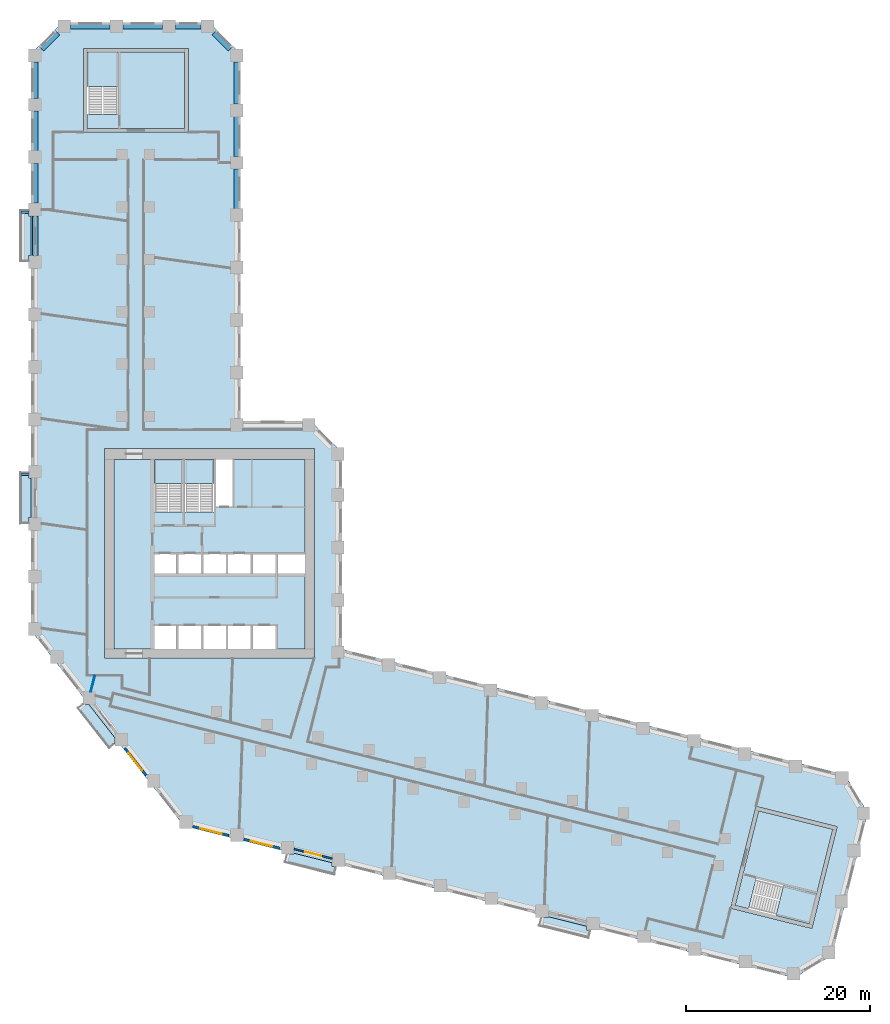
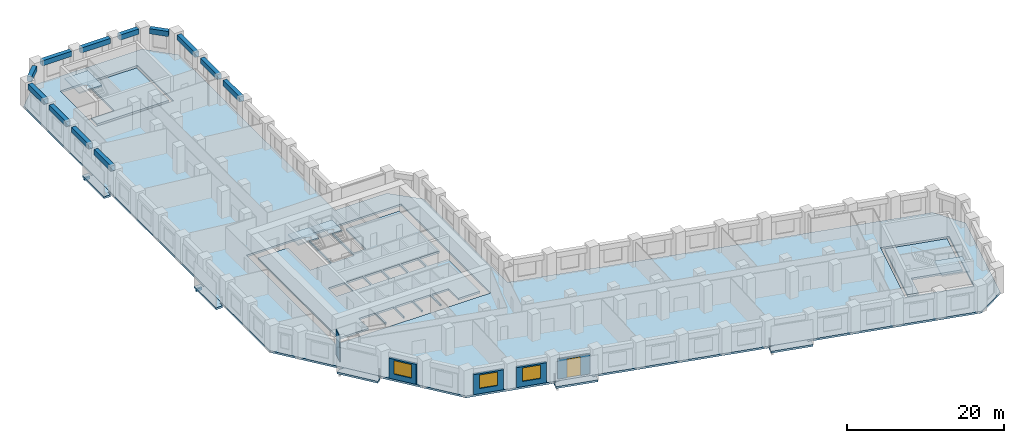
# One storey, part 2 of 11: 14 beams, 13 slabs, 5 walls, 3 windows, 1 door, 4 openings, 4 elements without a shape of their own.
"""IFC4 building model written with IfcOpenShell, lengths in metres."""

from ifc_helpers import new_model, si_unit, direction, frame, frame_2d, origin, origin_2d, place, context, subcontext, project, spatial, polyline, rectangle, outline, extrude, material, layer, layer_set, material_profile, profile_set, type_object, element, fill, aggregate, save


model = new_model("IFC4")

# Units and contexts
model_context = context("Model", 3, precision=1e-05, world=origin(), true_north=direction((0.0, 1.0)))
body_context = subcontext(model_context, "Body", "Model", "MODEL_VIEW")
ifc_project = project(units=[si_unit("LENGTHUNIT", "METRE"), si_unit("AREAUNIT", "SQUARE_METRE"), si_unit("VOLUMEUNIT", "CUBIC_METRE"), si_unit("PLANEANGLEUNIT", "RADIAN"), si_unit("MASSUNIT", "GRAM", prefix="KILO")], contexts=[model_context])

# Site, building, storey
site_placement = place(None, origin())
site = spatial("IfcSite", under=ifc_project, at=site_placement, CompositionType="ELEMENT")
building_placement = place(site_placement, origin())
building = spatial("IfcBuilding", under=site, at=building_placement, Name="Meshkara Civic Tower", CompositionType="ELEMENT")
storey_placement = place(building_placement, frame((0.0, 0.0, 70.800048828125)))
storey = spatial("IfcBuildingStorey", under=building, at=storey_placement, Name="L15", CompositionType="ELEMENT", Elevation=70.800048828125)

# Beams
ifc_material_1 = material(Name="Concrete C50", Category="concrete")
ifc_material_profile_1 = material_profile(ifc_material_1, rectangle(XDim=0.25, YDim=0.39990234375, at=origin_2d()))
ifc_profile_set_1 = profile_set([ifc_material_profile_1], Name="Concrete C50")
beam_type_1 = type_object("IfcBeamType", Name="Balcony bracket beam RC 250x400 C50", PredefinedType="BEAM", material=ifc_profile_set_1)
for number, where, z_axis, x_axis, name in (
    (1, (-0.2451171875, 62.554931640625, -0.5), (-1.0, 0.0, 0.0), (0.0, -1.0, 0.0), "Balcony bracket beam"),
    (2, (-0.2451171875, 34.054931640625, -0.5), (-1.0, 0.0, 0.0), (0.0, -1.0, 0.0), "Balcony bracket beam"),
):
    element("IfcBeam", number, at=place(storey_placement, frame(where, z_axis=z_axis, x_axis=x_axis)), inside=storey, type_object=beam_type_1, Name=name, PredefinedType="BEAM", context=body_context, shape_type="SweptSolid", body=[
        extrude(rectangle(XDim=0.25, YDim=0.39990234375, at=origin_2d()), origin(), (0.0, 0.0, 1.0), 0.85498046875),
    ])
ifc_material_2 = material(Name="Concrete C70", Category="concrete")
ifc_material_profile_2 = material_profile(ifc_material_2, rectangle(XDim=0.60009765625, YDim=0.800048828125, at=origin_2d()))
ifc_profile_set_2 = profile_set([ifc_material_profile_2], Name="Concrete C70")
beam_type_2 = type_object("IfcBeamType", Name="Spandrel beam RC 600x800 C70", PredefinedType="BEAM", material=ifc_profile_set_2)
beam_1_placement = place(storey_placement, frame((22.35009765625, 62.945068359375, 3.5), z_axis=(0.0, 1.0, 0.0), x_axis=(-1.0, 0.0, 0.0)))
element("IfcBeam", 3, at=beam_1_placement, inside=storey, type_object=beam_type_2, Name="Spandrel beam AE04-AE05", PredefinedType="BEAM", context=body_context, shape_type="SweptSolid", body=[
    extrude(rectangle(XDim=0.60009765625, YDim=0.800048828125, at=origin_2d()), origin(), (0.0, 0.0, 1.0), 4.309814453125),
])
beam_2_placement = place(storey_placement, frame((22.35009765625, 68.64501953125, 3.5), z_axis=(0.0, 1.0, 0.0), x_axis=(-1.0, 0.0, 0.0)))
element("IfcBeam", 4, at=beam_2_placement, inside=storey, type_object=beam_type_2, Name="Spandrel beam AE05-AE06", PredefinedType="BEAM", context=body_context, shape_type="SweptSolid", body=[
    extrude(rectangle(XDim=0.60009765625, YDim=0.800048828125, at=origin_2d()), origin(), (0.0, 0.0, 1.0), 4.31005859375),
])
beam_3_placement = place(storey_placement, frame((22.35009765625, 74.344970703125, 3.5), z_axis=(0.0, 1.0, 0.0), x_axis=(-1.0, 0.0, 0.0)))
element("IfcBeam", 5, at=beam_3_placement, inside=storey, type_object=beam_type_2, Name="Spandrel beam AE06-AEE", PredefinedType="BEAM", context=body_context, shape_type="SweptSolid", body=[
    extrude(rectangle(XDim=0.60009765625, YDim=0.800048828125, at=origin_2d()), origin(), (0.0, 0.0, 1.0), 4.573974609375),
])
beam_4_placement = place(storey_placement, frame((21.653564453125, 80.310546875, 3.5), z_axis=(-0.707155737934, 0.70705782105, 0.0), x_axis=(-0.70705782105, -0.707155737934, 0.0)))
element("IfcBeam", 6, at=beam_4_placement, inside=storey, type_object=beam_type_2, Name="Spandrel beam AEE-ATiE", PredefinedType="BEAM", context=body_context, shape_type="SweptSolid", body=[
    extrude(rectangle(XDim=0.60009765625, YDim=0.800048828125, at=origin_2d()), origin(), (0.0, 0.0, 1.0), 2.493408203125),
])
beam_5_placement = place(storey_placement, frame((18.4990234375, 82.77001953125, 3.5), z_axis=(-1.0, 0.0, 0.0), x_axis=(0.0, -1.0, 0.0)))
element("IfcBeam", 7, at=beam_5_placement, inside=storey, type_object=beam_type_2, Name="Spandrel beam AT02-ATiE", PredefinedType="BEAM", context=body_context, shape_type="SweptSolid", body=[
    extrude(rectangle(XDim=0.60009765625, YDim=0.800048828125, at=origin_2d()), origin(), (0.0, 0.0, 1.0), 2.798095703125),
])
for number, where, z_axis, x_axis, name in (
    (8, (14.31103515625, 82.77001953125, 3.5), (-1.0, 0.0, 0.0), (0.0, -1.0, 0.0), "Spandrel beam AT01-AT02"),
    (9, (8.611083984375, 82.77001953125, 3.5), (-1.0, 0.0, 0.0), (0.0, -1.0, 0.0), "Spandrel beam AT00-AT01"),
):
    element("IfcBeam", number, at=place(storey_placement, frame(where, z_axis=z_axis, x_axis=x_axis)), inside=storey, type_object=beam_type_2, Name=name, PredefinedType="BEAM", context=body_context, shape_type="SweptSolid", body=[
        extrude(rectangle(XDim=0.60009765625, YDim=0.800048828125, at=origin_2d()), origin(), (0.0, 0.0, 1.0), 4.31005859375),
    ])
beam_6_placement = place(storey_placement, frame((2.909423828125, 82.073486328125, 3.5), z_axis=(-0.707106781187, -0.707106781187, 0.0), x_axis=(0.707106781187, -0.707106781187, 0.0)))
element("IfcBeam", 10, at=beam_6_placement, inside=storey, type_object=beam_type_2, Name="Spandrel beam AT00-ATo00", PredefinedType="BEAM", context=body_context, shape_type="SweptSolid", body=[
    extrude(rectangle(XDim=0.60009765625, YDim=0.800048828125, at=origin_2d()), origin(), (0.0, 0.0, 1.0), 2.4931640625),
])
beam_7_placement = place(storey_placement, frame((0.449951171875, 78.9189453125, 3.5), z_axis=(0.0, -1.0, 0.0), x_axis=(1.0, 0.0, 0.0)))
element("IfcBeam", 11, at=beam_7_placement, inside=storey, type_object=beam_type_2, Name="Spandrel beam ATo00-AW10", PredefinedType="BEAM", context=body_context, shape_type="SweptSolid", body=[
    extrude(rectangle(XDim=0.60009765625, YDim=0.800048828125, at=origin_2d()), origin(), (0.0, 0.0, 1.0), 3.968994140625),
])
for number, where, z_axis, x_axis, name in (
    (12, (0.449951171875, 73.56005859375, 3.5), (0.0, -1.0, 0.0), (1.0, 0.0, 0.0), "Spandrel beam AW09-AW10"),
    (13, (0.449951171875, 67.860107421875, 3.5), (0.0, -1.0, 0.0), (1.0, 0.0, 0.0), "Spandrel beam AW08-AW09"),
):
    element("IfcBeam", number, at=place(storey_placement, frame(where, z_axis=z_axis, x_axis=x_axis)), inside=storey, type_object=beam_type_2, Name=name, PredefinedType="BEAM", context=body_context, shape_type="SweptSolid", body=[
        extrude(rectangle(XDim=0.60009765625, YDim=0.800048828125, at=origin_2d()), origin(), (0.0, 0.0, 1.0), 4.31005859375),
    ])
beam_8_placement = place(storey_placement, frame((0.449951171875, 62.159912109375, 3.5), z_axis=(0.0, -1.0, 0.0), x_axis=(1.0, 0.0, 0.0)))
element("IfcBeam", 14, at=beam_8_placement, inside=storey, type_object=beam_type_2, Name="Spandrel beam AW07-AW08", PredefinedType="BEAM", context=body_context, shape_type="SweptSolid", body=[
    extrude(rectangle(XDim=0.60009765625, YDim=0.800048828125, at=origin_2d()), origin(), (0.0, 0.0, 1.0), 4.309814453125),
])

# Slabs
ifc_material_3 = material(Name="Concrete C40", Category="concrete")
ifc_layer_1 = layer(ifc_material_3, 0.300048828125)
ifc_layer_set_1 = layer_set([ifc_layer_1], Name="BALCONY SLAB")
slab_type_1 = type_object("IfcSlabType", Name="BALCONY SLAB", PredefinedType="FLOOR", material=ifc_layer_set_1)
slab_1_placement = place(storey_placement, frame((0.0, 0.0, -0.300048828125)))
element("IfcSlab", 15, at=slab_1_placement, inside=storey, type_object=slab_type_1, Name="Balcony slab", PredefinedType="FLOOR", context=body_context, shape_type="SweptSolid", body=[
    extrude(outline(polyline([(-1.199951171875, 57.215087890625), (-1.199951171875, 62.794921875), (-0.25, 62.794921875), (-0.25, 62.155029296875), (0.0, 62.155029296875), (0.0, 57.85498046875), (-0.25, 57.85498046875), (-0.25, 57.215087890625), (-1.199951171875, 57.215087890625)])), origin(), (0.0, 0.0, 1.0), 0.300048828125),
])
slab_2_placement = place(storey_placement, frame((0.0, 0.0, -0.300048828125)))
element("IfcSlab", 16, at=slab_2_placement, inside=storey, type_object=slab_type_1, Name="Balcony slab", PredefinedType="FLOOR", context=body_context, shape_type="SweptSolid", body=[
    extrude(outline(polyline([(-1.199951171875, 28.715087890625), (-1.199951171875, 34.294921875), (-0.25, 34.294921875), (-0.25, 33.655029296875), (0.0, 33.655029296875), (0.0, 29.35498046875), (-0.25, 29.35498046875), (-0.25, 28.715087890625), (-1.199951171875, 28.715087890625)])), origin(), (0.0, 0.0, 1.0), 0.300048828125),
])
slab_3_placement = place(storey_placement, frame((0.0, 0.0, -0.300048828125)))
element("IfcSlab", 17, at=slab_3_placement, inside=storey, type_object=slab_type_1, Name="Balcony slab", PredefinedType="FLOOR", context=body_context, shape_type="SweptSolid", body=[
    extrude(outline(polyline([(8.49609375, 4.27587890625), (5.06005859375, 8.674072265625), (5.623046875, 9.114013671875), (5.623046875, 9.037109375), (6.299072265625, 9.037109375), (9.133056640625, 5.409912109375), (9.133056640625, 4.77392578125), (8.49609375, 4.27587890625)])), origin(), (0.0, 0.0, 1.0), 0.300048828125),
])
slab_4_placement = place(storey_placement, frame((0.0, 0.0, -0.300048828125)))
element("IfcSlab", 18, at=slab_4_placement, inside=storey, type_object=slab_type_1, Name="Balcony slab", PredefinedType="FLOOR", context=body_context, shape_type="SweptSolid", body=[
    extrude(outline(polyline([(32.986083984375, -9.4609375), (27.571044921875, -8.111083984375), (27.799072265625, -7.196044921875), (28.612060546875, -7.196044921875), (28.612060546875, -7.134033203125), (32.742919921875, -8.1640625), (32.742919921875, -8.574951171875), (33.20703125, -8.574951171875), (32.986083984375, -9.4609375)])), origin(), (0.0, 0.0, 1.0), 0.300048828125),
])
slab_5_placement = place(storey_placement, frame((0.0, 0.0, -0.300048828125)))
element("IfcSlab", 19, at=slab_5_placement, inside=storey, type_object=slab_type_1, Name="Balcony slab", PredefinedType="FLOOR", context=body_context, shape_type="SweptSolid", body=[
    extrude(outline(polyline([(60.639892578125, -16.35595703125), (55.22509765625, -15.006103515625), (55.452880859375, -14.090087890625), (56.26611328125, -14.090087890625), (56.26611328125, -14.029052734375), (60.39697265625, -15.05908203125), (60.39697265625, -15.468994140625), (60.861083984375, -15.468994140625), (60.639892578125, -16.35595703125)])), origin(), (0.0, 0.0, 1.0), 0.300048828125),
])
ifc_material_4 = material(Name="Concrete C40/50", Category="concrete")
ifc_layer_2 = layer(ifc_material_4, 0.300048828125)
ifc_layer_set_2 = layer_set([ifc_layer_2], Name="Core floor slab 300 C40/50")
slab_type_2 = type_object("IfcSlabType", Name="Core floor slab 300 C40/50", PredefinedType="FLOOR", material=ifc_layer_set_2)
slab_6_placement = place(storey_placement, frame((0.0, 0.0, -0.300048828125)))
element("IfcSlab", 20, at=slab_6_placement, inside=storey, type_object=slab_type_2, Name="Core floor K", PredefinedType="FLOOR", context=body_context, shape_type="SweptSolid", body=[
    extrude(outline(polyline([(9.0, 35.699951171875), (13.39990234375, 35.699951171875), (13.39990234375, 30.00146484375), (16.5, 30.00146484375), (16.5, 35.699951171875), (16.699951171875, 35.699951171875), (16.699951171875, 30.00146484375), (19.89990234375, 30.00146484375), (19.89990234375, 35.699951171875), (20.10009765625, 35.699951171875), (20.10009765625, 30.574951171875), (21.925048828125, 30.574951171875), (21.925048828125, 35.699951171875), (29.800048828125, 35.699951171875), (29.800048828125, 25.39990234375), (26.800048828125, 25.39990234375), (26.800048828125, 23.300048828125), (29.800048828125, 23.300048828125), (29.800048828125, 15.10009765625), (26.60009765625, 15.10009765625), (26.60009765625, 17.60009765625), (24.10009765625, 17.60009765625), (24.10009765625, 15.10009765625), (23.89990234375, 15.10009765625), (23.89990234375, 17.60009765625), (21.39990234375, 17.60009765625), (21.39990234375, 15.10009765625), (21.199951171875, 15.10009765625), (21.199951171875, 17.60009765625), (18.699951171875, 17.60009765625), (18.699951171875, 15.10009765625), (18.5, 15.10009765625), (18.5, 17.60009765625), (16.0, 17.60009765625), (16.0, 15.10009765625), (15.800048828125, 15.10009765625), (15.800048828125, 17.60009765625), (13.39990234375, 17.60009765625), (13.39990234375, 15.10009765625), (9.0, 15.10009765625), (9.0, 35.699951171875)]), holes=[polyline([(13.39990234375, 25.39990234375), (13.39990234375, 23.300048828125), (15.800048828125, 23.300048828125), (15.800048828125, 25.39990234375), (13.39990234375, 25.39990234375)]), polyline([(18.5, 23.300048828125), (18.5, 25.39990234375), (16.0, 25.39990234375), (16.0, 23.300048828125), (18.5, 23.300048828125)]), polyline([(18.699951171875, 25.39990234375), (18.699951171875, 23.300048828125), (21.199951171875, 23.300048828125), (21.199951171875, 25.39990234375), (18.699951171875, 25.39990234375)]), polyline([(23.89990234375, 23.300048828125), (23.89990234375, 25.39990234375), (21.39990234375, 25.39990234375), (21.39990234375, 23.300048828125), (23.89990234375, 23.300048828125)]), polyline([(26.60009765625, 23.300048828125), (26.60009765625, 25.39990234375), (24.10009765625, 25.39990234375), (24.10009765625, 23.300048828125), (26.60009765625, 23.300048828125)])]), origin(), (0.0, 0.0, 1.0), 0.300048828125),
])
slab_7_placement = place(storey_placement, frame((0.0, 0.0, -0.300048828125)))
element("IfcSlab", 21, at=slab_7_placement, inside=storey, type_object=slab_type_2, Name="Core floor EA", PredefinedType="FLOOR", context=body_context, shape_type="SweptSolid", body=[
    extrude(outline(polyline([(16.699951171875, 71.669921875), (16.699951171875, 79.969970703125), (9.5, 79.969970703125), (9.5, 73.17138671875), (6.10009765625, 73.17138671875), (6.10009765625, 71.669921875), (16.699951171875, 71.669921875)])), origin(), (0.0, 0.0, 1.0), 0.300048828125),
])
slab_8_placement = place(storey_placement, frame((0.0, 0.0, -0.300048828125)))
element("IfcSlab", 22, at=slab_8_placement, inside=storey, type_object=slab_type_2, Name="Core floor EB", PredefinedType="FLOOR", context=body_context, shape_type="SweptSolid", body=[
    extrude(outline(polyline([(79.11181640625, -2.513671875), (87.165283203125, -4.521484375), (85.423583984375, -11.507568359375), (78.826904296875, -9.863037109375), (78.00439453125, -13.161865234375), (76.547607421875, -12.798583984375), (79.11181640625, -2.513671875)])), origin(), (0.0, 0.0, 1.0), 0.300048828125),
])

# Stair, slab
ifc_material_5 = material(Name="Precast concrete C40/50", Category="concrete")
stair_type_1 = type_object("IfcStairType", Name="Exit stair half-turn 24 risers precast", PredefinedType="HALF_TURN_STAIR", material=ifc_material_5)
stair_1_placement = place(storey_placement, origin())
stair_1 = element("IfcStair", 23, at=stair_1_placement, inside=storey, type_object=stair_type_1, Name="L15 exit stair 1", PredefinedType="HALF_TURN_STAIR")
ifc_material_6 = material(Name="Precast concrete C40/50", Category="concrete")
ifc_layer_3 = layer(ifc_material_6, 0.199951171875)
ifc_layer_set_3 = layer_set([ifc_layer_3], Name="Exit stair landing 200")
slab_type_3 = type_object("IfcSlabType", Name="Exit stair landing 200", PredefinedType="LANDING", material=ifc_layer_set_3)
slab_9_placement = place(storey_placement, frame((0.0, 0.0, 1.89990234375)))
slab_9 = element("IfcSlab", 24, at=slab_9_placement, type_object=slab_type_3, Name="ST1 landing 1", PredefinedType="LANDING", context=body_context, shape_type="SweptSolid", body=[
    extrude(outline(polyline([(16.5, 33.07861328125), (16.5, 35.699951171875), (13.39990234375, 35.699951171875), (13.39990234375, 33.07861328125), (16.5, 33.07861328125)])), origin(), (0.0, 0.0, 1.0), 0.199951171875),
])
aggregate(stair_1, [slab_9])

stair_2_placement = place(storey_placement, origin())
stair_2 = element("IfcStair", 25, at=stair_2_placement, inside=storey, type_object=stair_type_1, Name="L15 exit stair 2", PredefinedType="HALF_TURN_STAIR")
slab_10_placement = place(storey_placement, frame((0.0, 0.0, 1.89990234375)))
slab_10 = element("IfcSlab", 26, at=slab_10_placement, type_object=slab_type_3, Name="ST2 landing 1", PredefinedType="LANDING", context=body_context, shape_type="SweptSolid", body=[
    extrude(outline(polyline([(19.89990234375, 33.07861328125), (19.89990234375, 35.699951171875), (16.699951171875, 35.699951171875), (16.699951171875, 33.07861328125), (19.89990234375, 33.07861328125)])), origin(), (0.0, 0.0, 1.0), 0.199951171875),
])
aggregate(stair_2, [slab_10])

ifc_material_7 = material(Name="Precast concrete C40/50", Category="concrete")
stair_type_2 = type_object("IfcStairType", Name="Exit stair half-turn 24 risers 1500 precast", PredefinedType="HALF_TURN_STAIR", material=ifc_material_7)
stair_3_placement = place(storey_placement, origin())
stair_3 = element("IfcStair", 27, at=stair_3_placement, inside=storey, type_object=stair_type_2, Name="L15 exit stair A from B2", PredefinedType="HALF_TURN_STAIR")
slab_11_placement = place(storey_placement, frame((0.0, 0.0, 1.89990234375)))
slab_11 = element("IfcSlab", 28, at=slab_11_placement, type_object=slab_type_3, Name="ESA1 landing 1", PredefinedType="LANDING", context=body_context, shape_type="SweptSolid", body=[
    extrude(outline(polyline([(9.5, 76.24853515625), (9.5, 79.969970703125), (6.10009765625, 79.969970703125), (6.10009765625, 76.24853515625), (9.5, 76.24853515625)])), origin(), (0.0, 0.0, 1.0), 0.199951171875),
])
aggregate(stair_3, [slab_11])

stair_4_placement = place(storey_placement, origin())
stair_4 = element("IfcStair", 29, at=stair_4_placement, inside=storey, type_object=stair_type_2, Name="L15 exit stair B from B2", PredefinedType="HALF_TURN_STAIR")
slab_12_placement = place(storey_placement, frame((0.0, 0.0, 1.89990234375)))
slab_12 = element("IfcSlab", 30, at=slab_12_placement, type_object=slab_type_3, Name="ESB1 landing 1", PredefinedType="LANDING", context=body_context, shape_type="SweptSolid", body=[
    extrude(outline(polyline([(80.98974609375, -13.9072265625), (84.600830078125, -14.80810546875), (85.424072265625, -11.50830078125), (81.81298828125, -10.607421875), (80.98974609375, -13.9072265625)])), origin(), (0.0, 0.0, 1.0), 0.199951171875),
])
aggregate(stair_4, [slab_12])

# Slab
ifc_material_8 = material(Name="Concrete C50", Category="concrete")
ifc_layer_4 = layer(ifc_material_8, 0.300048828125)
ifc_layer_set_4 = layer_set([ifc_layer_4], Name="Post-tensioned flat slab 300 C50")
slab_type_4 = type_object("IfcSlabType", Name="Post-tensioned flat slab 300 C50", PredefinedType="FLOOR", material=ifc_layer_set_4)
slab_13_placement = place(storey_placement, frame((0.0, 0.0, -0.300048828125)))
element("IfcSlab", 31, at=slab_13_placement, inside=storey, type_object=slab_type_4, Name="Post-tensioned flat slab L15", PredefinedType="FLOOR", context=body_context, shape_type="SweptSolid", body=[
    extrude(outline(polyline([(87.10595703125, -18.193115234375), (82.9599609375, -20.68408203125), (16.592041015625, -4.136962890625), (0.0, 17.10009765625), (0.0, 79.800048828125), (3.419921875, 83.219970703125), (19.3798828125, 83.219970703125), (22.800048828125, 79.800048828125), (22.800048828125, 39.89990234375), (30.3798828125, 39.89990234375), (33.800048828125, 36.47998046875), (33.800048828125, 15.071044921875), (88.47607421875, 1.43798828125), (90.967041015625, -2.70703125), (87.10595703125, -18.193115234375)]), holes=[polyline([(84.89208984375, -15.2919921875), (87.64990234375, -4.22998046875), (78.821044921875, -2.029052734375), (76.06298828125, -13.090087890625), (84.89208984375, -15.2919921875)]), polyline([(8.0, 14.10009765625), (30.800048828125, 14.10009765625), (30.800048828125, 36.89990234375), (8.0, 36.89990234375), (8.0, 14.10009765625)]), polyline([(5.699951171875, 80.3701171875), (5.699951171875, 71.27001953125), (17.10009765625, 71.27001953125), (17.10009765625, 80.3701171875), (5.699951171875, 80.3701171875)])]), origin(), (0.0, 0.0, 1.0), 0.300048828125),
])

# Wall, opening, window
ifc_material_9 = material(Name="Insulated infill panel with bronze anodised aluminium cladding", Category="aluminium")
ifc_layer_5 = layer(ifc_material_9, 0.300048828125)
ifc_layer_set_5 = layer_set([ifc_layer_5], Name="EXTERNAL INFILL WALL 300")
wall_type_1 = type_object("IfcWallType", Name="EXTERNAL INFILL WALL 300", PredefinedType="SOLIDWALL", material=ifc_layer_set_5)
wall_1_placement = place(storey_placement, frame((10.201904296875, 4.285888671875, 0.0), z_axis=(0.0, 0.0, 1.0), x_axis=(0.615636430057, -0.788030320474, 0.0)))
wall_1 = element("IfcWall", 32, at=wall_1_placement, inside=storey, type_object=wall_type_1, Name="External wall", PredefinedType="SOLIDWALL", context=body_context, shape_type="SweptSolid", body=[
    extrude(rectangle(XDim=3.734375, YDim=0.300048828125, at=frame_2d((1.8671875, 0.0))), origin(), (0.0, 0.0, 1.0), 3.099853515625),
])
opening_1_placement = place(wall_1_placement, frame((0.6669921875, 0.0, 0.800048828125)))
opening_1 = element("IfcOpeningElement", 33, at=opening_1_placement, cuts=wall_1, Name="Opening W7", PredefinedType="OPENING", context=body_context, shape_type="SweptSolid", body=[
    extrude(rectangle(XDim=2.39990234375, YDim=2.10009765625, at=frame_2d((1.199951171875, 1.050048828125))), frame((0.0, 0.159912109375, 0.0), z_axis=(0.0, -1.0, 0.0), x_axis=(1.0, 0.0, 0.0)), (0.0, 0.0, 1.0), 0.320068359375),
])
ifc_material_10 = material(Name="Tinted double glazing", Category="glass")
window_type = type_object("IfcWindowType", Name="WINDOW 2400x2100", PartitioningType="DOUBLE_PANEL_VERTICAL", PredefinedType="WINDOW", material=ifc_material_10)
window_1_placement = place(opening_1_placement, origin())
window_1 = element("IfcWindow", 34, at=window_1_placement, inside=storey, type_object=window_type, Name="Window", OverallHeight=2.10009765625, OverallWidth=2.39990234375, PartitioningType="DOUBLE_PANEL_VERTICAL", PredefinedType="WINDOW", context=body_context, shape_type="SweptSolid", body=[
    extrude(rectangle(XDim=2.39990234375, YDim=2.10009765625, at=frame_2d((1.199951171875, 1.050048828125))), frame((0.0, 0.030029296875, 0.0), z_axis=(0.0, -1.0, 0.0), x_axis=(1.0, 0.0, 0.0)), (0.0, 0.0, 1.0), 0.06005859375),
])
fill(opening_1, window_1)

wall_2_placement = place(storey_placement, frame((17.60205078125, -4.23388671875, 0.0), z_axis=(0.0, 0.0, 1.0), x_axis=(0.970260773365, -0.242062040951, 0.0)))
wall_2 = element("IfcWall", 35, at=wall_2_placement, inside=storey, type_object=wall_type_1, Name="External wall", PredefinedType="SOLIDWALL", context=body_context, shape_type="SweptSolid", body=[
    extrude(rectangle(XDim=4.003173828125, YDim=0.300048828125, at=frame_2d((2.00146484375, 0.0))), origin(), (0.0, 0.0, 1.0), 3.099853515625),
])
opening_2_placement = place(wall_2_placement, frame((0.802001953125, 0.0, 0.800048828125)))
opening_2 = element("IfcOpeningElement", 36, at=opening_2_placement, cuts=wall_2, Name="Opening W7", PredefinedType="OPENING", context=body_context, shape_type="SweptSolid", body=[
    extrude(rectangle(XDim=2.39990234375, YDim=2.10009765625, at=frame_2d((1.199951171875, 1.050048828125))), frame((0.0, 0.159912109375, 0.0), z_axis=(0.0, -1.0, 0.0), x_axis=(1.0, 0.0, 0.0)), (0.0, 0.0, 1.0), 0.320068359375),
])
window_2_placement = place(opening_2_placement, origin())
window_2 = element("IfcWindow", 37, at=window_2_placement, inside=storey, type_object=window_type, Name="Window", OverallHeight=2.10009765625, OverallWidth=2.39990234375, PartitioningType="DOUBLE_PANEL_VERTICAL", PredefinedType="WINDOW", context=body_context, shape_type="SweptSolid", body=[
    extrude(rectangle(XDim=2.39990234375, YDim=2.10009765625, at=frame_2d((1.199951171875, 1.050048828125))), frame((0.0, 0.030029296875, 0.0), z_axis=(0.0, -1.0, 0.0), x_axis=(1.0, 0.0, 0.0)), (0.0, 0.0, 1.0), 0.06005859375),
])
fill(opening_2, window_2)

wall_3_placement = place(storey_placement, frame((23.133056640625, -5.613037109375, 0.0), z_axis=(0.0, 0.0, 1.0), x_axis=(0.970303772127, -0.241889623168, 0.0)))
wall_3 = element("IfcWall", 38, at=wall_3_placement, inside=storey, type_object=wall_type_1, Name="External wall", PredefinedType="SOLIDWALL", context=body_context, shape_type="SweptSolid", body=[
    extrude(rectangle(XDim=4.001953125, YDim=0.300048828125, at=frame_2d((2.0009765625, 0.0))), origin(), (0.0, 0.0, 1.0), 3.099853515625),
])
opening_3_placement = place(wall_3_placement, frame((0.801025390625, 0.0, 0.800048828125)))
opening_3 = element("IfcOpeningElement", 39, at=opening_3_placement, cuts=wall_3, Name="Opening W7", PredefinedType="OPENING", context=body_context, shape_type="SweptSolid", body=[
    extrude(rectangle(XDim=2.39990234375, YDim=2.10009765625, at=frame_2d((1.199951171875, 1.050048828125))), frame((0.0, 0.159912109375, 0.0), z_axis=(0.0, -1.0, 0.0), x_axis=(1.0, 0.0, 0.0)), (0.0, 0.0, 1.0), 0.320068359375),
])
window_3_placement = place(opening_3_placement, origin())
window_3 = element("IfcWindow", 40, at=window_3_placement, inside=storey, type_object=window_type, Name="Window", OverallHeight=2.10009765625, OverallWidth=2.39990234375, PartitioningType="DOUBLE_PANEL_VERTICAL", PredefinedType="WINDOW", context=body_context, shape_type="SweptSolid", body=[
    extrude(rectangle(XDim=2.39990234375, YDim=2.10009765625, at=frame_2d((1.199951171875, 1.050048828125))), frame((0.0, 0.030029296875, 0.0), z_axis=(0.0, -1.0, 0.0), x_axis=(1.0, 0.0, 0.0)), (0.0, 0.0, 1.0), 0.06005859375),
])
fill(opening_3, window_3)

# Wall, opening, door
ifc_material_11 = material(Name="Insulated infill panel with bronze anodised aluminium cladding", Category="aluminium")
ifc_layer_6 = layer(ifc_material_11, 0.199951171875)
ifc_layer_set_6 = layer_set([ifc_layer_6], Name="LOGGIA BACK WALL 200")
wall_type_2 = type_object("IfcWallType", Name="LOGGIA BACK WALL 200", PredefinedType="SOLIDWALL", material=ifc_layer_set_6)
wall_4_placement = place(storey_placement, frame((28.612060546875, -6.669921875, 0.0), z_axis=(0.0, 0.0, 1.0), x_axis=(0.970290742877, -0.241941882045, 0.0)))
wall_4 = element("IfcWall", 41, at=wall_4_placement, inside=storey, type_object=wall_type_2, Name="Loggia wall", PredefinedType="SOLIDWALL", context=body_context, shape_type="SweptSolid", body=[
    extrude(rectangle(XDim=4.25732421875, YDim=0.199951171875, at=frame_2d((2.128662109375, 0.0))), origin(), (0.0, 0.0, 1.0), 3.099853515625),
])
opening_4_placement = place(wall_4_placement, frame((1.22802734375, 0.0, 0.0)))
opening_4 = element("IfcOpeningElement", 42, at=opening_4_placement, cuts=wall_4, Name="Opening L15-L004", PredefinedType="OPENING", context=body_context, shape_type="SweptSolid", body=[
    extrude(rectangle(XDim=1.800048828125, YDim=2.89990234375, at=frame_2d((0.89990234375, 1.449951171875))), frame((0.0, 0.10986328125, 0.0), z_axis=(0.0, -1.0, 0.0), x_axis=(1.0, 0.0, 0.0)), (0.0, 0.0, 1.0), 0.219970703125),
])
ifc_material_12 = material(Name="Tinted double glazing", Category="glass")
door_type = type_object("IfcDoorType", Name="LOGGIA DOOR 1800x2900", OperationType="DOUBLE_DOOR_SINGLE_SWING", PredefinedType="DOOR", material=ifc_material_12)
door_placement = place(opening_4_placement, origin())
door = element("IfcDoor", 43, at=door_placement, inside=storey, type_object=door_type, Name="L15-L004", OperationType="DOUBLE_DOOR_SINGLE_SWING", OverallHeight=2.89990234375, OverallWidth=1.800048828125, PredefinedType="DOOR", context=body_context, shape_type="SweptSolid", body=[
    extrude(rectangle(XDim=1.800048828125, YDim=2.89990234375, at=frame_2d((0.89990234375, 1.449951171875))), frame((0.0, 0.02490234375, 0.0), z_axis=(0.0, -1.0, 0.0), x_axis=(1.0, 0.0, 0.0)), (0.0, 0.0, 1.0), 0.050048828125),
])
fill(opening_4, door)

# Wall
ifc_material_13 = material(Name="Partition 100")
ifc_layer_7 = layer(ifc_material_13, 0.10009765625)
ifc_layer_set_7 = layer_set([ifc_layer_7], Name="Partition 100")
wall_type_3 = type_object("IfcWallType", Name="Partition 100", PredefinedType="PARTITIONING", material=ifc_layer_set_7)
wall_5_placement = place(storey_placement, frame((6.922119140625, 12.137939453125, 0.0), z_axis=(0.0, 0.0, 1.0), x_axis=(-0.242437328426, -0.970167069007, 0.0)))
element("IfcWall", 44, at=wall_5_placement, inside=storey, type_object=wall_type_3, Name="L15-W037", PredefinedType="PARTITIONING", context=body_context, shape_type="SweptSolid", body=[
    extrude(rectangle(XDim=1.753173828125, YDim=0.10009765625, at=frame_2d((0.87646484375, 0.0))), origin(), (0.0, 0.0, 1.0), 3.89990234375),
])

save(model, "model.ifc")
